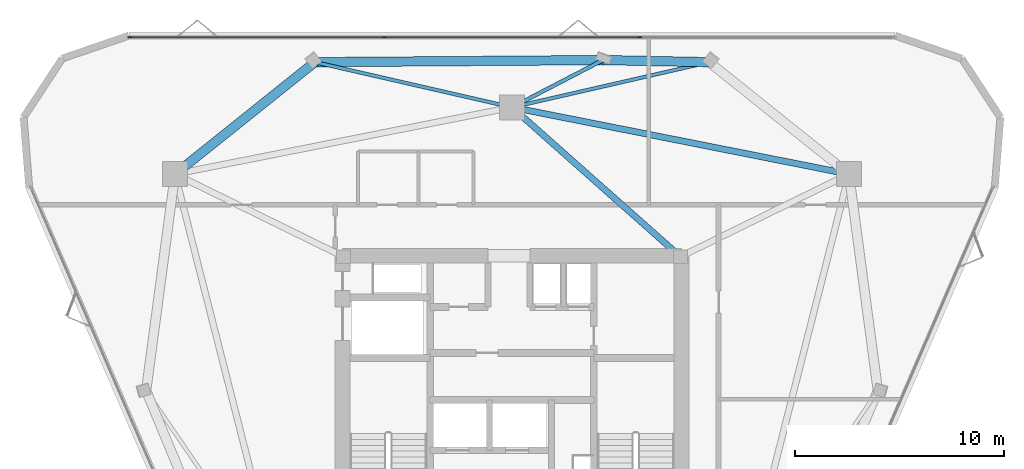
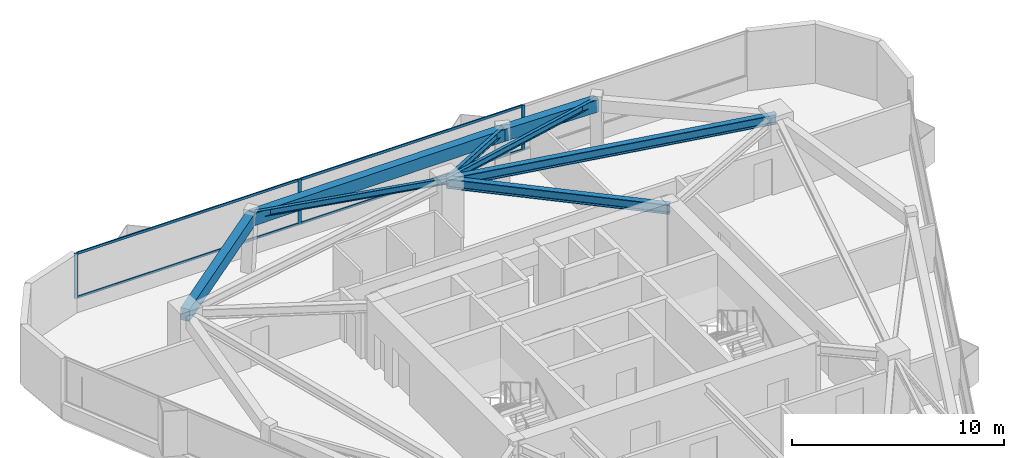
# One storey, part 6 of 11: 8 beams, 7 members, 1 element without a shape of its own.
"""IFC4 building model written with IfcOpenShell, lengths in metres."""

from ifc_helpers import new_model, si_unit, direction, frame, origin, origin_2d, place, context, subcontext, project, spatial, rectangle, i_section, extrude, material, layer, layer_set, material_profile, profile_set, type_object, element, aggregate, save


model = new_model("IFC4")

# Units and contexts
model_context = context("Model", 3, precision=1e-05, world=origin(), true_north=direction((0.0, 1.0)))
body_context = subcontext(model_context, "Body", "Model", "MODEL_VIEW")
ifc_project = project(units=[si_unit("LENGTHUNIT", "METRE"), si_unit("AREAUNIT", "SQUARE_METRE"), si_unit("VOLUMEUNIT", "CUBIC_METRE"), si_unit("PLANEANGLEUNIT", "RADIAN"), si_unit("MASSUNIT", "GRAM", prefix="KILO")], contexts=[model_context])

# Site, building, storey
site_placement = place(None, origin())
site = spatial("IfcSite", under=ifc_project, at=site_placement, CompositionType="ELEMENT")
building_placement = place(site_placement, origin())
building = spatial("IfcBuilding", under=site, at=building_placement, Name="Talyreon Biosciences Tower", CompositionType="ELEMENT")
storey_placement = place(building_placement, frame((0.0, 0.0, 249.85009765625)))
storey = spatial("IfcBuildingStorey", under=building, at=storey_placement, Name="L66", CompositionType="ELEMENT", Elevation=249.85009765625)

# Curtain wall, members
ifc_material_1 = material(Name="Thermally broken aluminium and low-E glazing", Category="aluminium")
ifc_layer = layer(ifc_material_1, 0.175048828125)
ifc_layer_set = layer_set([ifc_layer], Name="Thermally broken aluminium and low-E glazing")
curtain_wall_type = type_object("IfcCurtainWallType", Name="CurtainWall_Zone5CompLab", PredefinedType="NOTDEFINED", material=ifc_layer_set)
curtain_wall_placement = place(storey_placement, origin())
curtain_wall = element("IfcCurtainWall", 1, at=curtain_wall_placement, inside=storey, type_object=curtain_wall_type, Name="L66 Unitised Curtain Wall FCW-L66-04", PredefinedType="NOTDEFINED")
ifc_material_2 = material(Name="Anodised thermally broken aluminium", Category="aluminium")
ifc_material_profile_1 = material_profile(ifc_material_2, rectangle(XDim=0.06494140625, YDim=0.179931640625, at=origin_2d()), Name="ALUM MULLION 65x180")
ifc_profile_set_1 = profile_set([ifc_material_profile_1], Name="Anodised thermally broken aluminium")
member_type_1 = type_object("IfcMemberType", Name="CWMullion_65x180", PredefinedType="MULLION", material=ifc_profile_set_1)
member_1_placement = place(storey_placement, frame((47.728759765625, 85.1376953125, 0.809814453125), z_axis=(0.0, 0.0, 1.0), x_axis=(0.0, 1.0, 0.0)))
member_1 = element("IfcMember", 2, at=member_1_placement, type_object=member_type_1, Name="CW6 mullion 1", PredefinedType="MULLION", context=body_context, shape_type="SweptSolid", body=[
    extrude(rectangle(XDim=0.06494140625, YDim=0.179931640625, at=origin_2d()), origin(), (0.0, 0.0, 1.0), 2.590087890625),
])
member_2_placement = place(storey_placement, frame((59.898681640625, 85.1376953125, 0.809814453125), z_axis=(0.0, 0.0, 1.0), x_axis=(0.0, 1.0, 0.0)))
member_2 = element("IfcMember", 3, at=member_2_placement, type_object=member_type_1, Name="CW6 mullion 2", PredefinedType="MULLION", context=body_context, shape_type="SweptSolid", body=[
    extrude(rectangle(XDim=0.06494140625, YDim=0.179931640625, at=origin_2d()), origin(), (0.0, 0.0, 1.0), 2.590087890625),
])
member_3_placement = place(storey_placement, frame((72.101318359375, 85.1376953125, 0.809814453125), z_axis=(0.0, 0.0, 1.0), x_axis=(0.0, 1.0, 0.0)))
member_3 = element("IfcMember", 4, at=member_3_placement, type_object=member_type_1, Name="CW6 mullion 3", PredefinedType="MULLION", context=body_context, shape_type="SweptSolid", body=[
    extrude(rectangle(XDim=0.06494140625, YDim=0.179931640625, at=origin_2d()), origin(), (0.0, 0.0, 1.0), 2.590087890625),
])
ifc_material_profile_2 = material_profile(ifc_material_2, rectangle(XDim=0.06494140625, YDim=0.139892578125, at=origin_2d()), Name="ALUM TRANSOM 65x140")
ifc_profile_set_2 = profile_set([ifc_material_profile_2], Name="Anodised thermally broken aluminium")
member_type_2 = type_object("IfcMemberType", Name="CWTransom_65x140", PredefinedType="USERDEFINED", material=ifc_profile_set_2)
member_4_placement = place(storey_placement, frame((47.76123046875, 85.1376953125, 0.84228515625), z_axis=(1.0, 0.0, 0.0), x_axis=(0.0, 1.0, 0.0)))
member_4 = element("IfcMember", 5, at=member_4_placement, type_object=member_type_2, Name="CW6 transom 1.1", ObjectType="TRANSOM", PredefinedType="USERDEFINED", context=body_context, shape_type="SweptSolid", body=[
    extrude(rectangle(XDim=0.06494140625, YDim=0.139892578125, at=origin_2d()), origin(), (0.0, 0.0, 1.0), 12.10498046875),
])
member_5_placement = place(storey_placement, frame((47.76123046875, 85.1376953125, 3.367431640625), z_axis=(1.0, 0.0, 0.0), x_axis=(0.0, 1.0, 0.0)))
member_5 = element("IfcMember", 6, at=member_5_placement, type_object=member_type_2, Name="CW6 transom 1.2", ObjectType="TRANSOM", PredefinedType="USERDEFINED", context=body_context, shape_type="SweptSolid", body=[
    extrude(rectangle(XDim=0.06494140625, YDim=0.139892578125, at=origin_2d()), origin(), (0.0, 0.0, 1.0), 12.10498046875),
])
member_6_placement = place(storey_placement, frame((59.93115234375, 85.1376953125, 0.84228515625), z_axis=(1.0, 0.0, 0.0), x_axis=(0.0, 1.0, 0.0)))
member_6 = element("IfcMember", 7, at=member_6_placement, type_object=member_type_2, Name="CW6 transom 2.1", ObjectType="TRANSOM", PredefinedType="USERDEFINED", context=body_context, shape_type="SweptSolid", body=[
    extrude(rectangle(XDim=0.06494140625, YDim=0.139892578125, at=origin_2d()), origin(), (0.0, 0.0, 1.0), 12.1376953125),
])
member_7_placement = place(storey_placement, frame((59.93115234375, 85.1376953125, 3.367431640625), z_axis=(1.0, 0.0, 0.0), x_axis=(0.0, 1.0, 0.0)))
member_7 = element("IfcMember", 8, at=member_7_placement, type_object=member_type_2, Name="CW6 transom 2.2", ObjectType="TRANSOM", PredefinedType="USERDEFINED", context=body_context, shape_type="SweptSolid", body=[
    extrude(rectangle(XDim=0.06494140625, YDim=0.139892578125, at=origin_2d()), origin(), (0.0, 0.0, 1.0), 12.1376953125),
])
aggregate(curtain_wall, [member_1, member_2, member_3, member_4, member_5, member_6, member_7])

# Beams
ifc_material_3 = material(Name="Precast concrete C45/55", Category="concrete")
ifc_material_profile_3 = material_profile(ifc_material_3, rectangle(XDim=0.449951171875, YDim=0.699951171875, at=origin_2d()), Name="RCB 450x700")
ifc_profile_set_3 = profile_set([ifc_material_profile_3], Name="Precast concrete C45/55")
beam_type_1 = type_object("IfcBeamType", Name="ExpressedSpandrel_450x700", PredefinedType="SPANDREL", material=ifc_profile_set_3)
beam_1_placement = place(storey_placement, frame((75.419921875, 83.945556640625, 3.0498046875), z_axis=(-0.999805335384, 0.019730467246, 0.0), x_axis=(-0.019730467246, -0.999805335384, 0.0)))
element("IfcBeam", 9, at=beam_1_placement, inside=storey, type_object=beam_type_1, Name="L66 Expressed Horizontal Concrete Spandrel 06", PredefinedType="SPANDREL", context=body_context, shape_type="SweptSolid", body=[
    extrude(rectangle(XDim=0.449951171875, YDim=0.699951171875, at=origin_2d()), origin(), (0.0, 0.0, 1.0), 5.0732421875),
])
beam_2_placement = place(storey_placement, frame((70.34765625, 84.045654296875, 3.0498046875), z_axis=(-0.999973570709, -0.007270342673, 0.0), x_axis=(0.007270342673, -0.999973570709, 0.0)))
element("IfcBeam", 10, at=beam_2_placement, inside=storey, type_object=beam_type_1, Name="L66 Expressed Horizontal Concrete Spandrel 07", PredefinedType="SPANDREL", context=body_context, shape_type="SweptSolid", body=[
    extrude(rectangle(XDim=0.449951171875, YDim=0.699951171875, at=origin_2d()), origin(), (0.0, 0.0, 1.0), 13.767822265625),
])
beam_3_placement = place(storey_placement, frame((56.580078125, 83.945556640625, 3.0498046875), z_axis=(-0.780810360626, -0.62476810157, 0.0), x_axis=(0.62476810157, -0.780810360626, 0.0)))
element("IfcBeam", 11, at=beam_3_placement, inside=storey, type_object=beam_type_1, Name="L66 Expressed Horizontal Concrete Spandrel 08", PredefinedType="SPANDREL", context=body_context, shape_type="SweptSolid", body=[
    extrude(rectangle(XDim=0.449951171875, YDim=0.699951171875, at=origin_2d()), origin(), (0.0, 0.0, 1.0), 8.558349609375),
])
ifc_material_4 = material(Name="Steel SM355", Category="steel")
ifc_material_profile_4 = material_profile(ifc_material_4, i_section(OverallWidth=0.300048828125, OverallDepth=0.550048828125, WebThickness=0.014892578125, FlangeThickness=0.029052734375, FilletRadius=0.027099609375, at=origin_2d()), Name="HE550B")
ifc_profile_set_4 = profile_set([ifc_material_profile_4], Name="Steel SM355")
beam_type_2 = type_object("IfcBeamType", Name="SteelBeam_HE550B", PredefinedType="BEAM", material=ifc_profile_set_4)
beam_4_placement = place(storey_placement, frame((82.102294921875, 78.5986328125, 3.125), z_axis=(-0.980933730698, 0.194342522311, 0.0), x_axis=(-0.194342522311, -0.980933730698, 0.0)))
element("IfcBeam", 12, at=beam_4_placement, inside=storey, type_object=beam_type_2, Name="L66 Mega-Ring Girder 3", PredefinedType="BEAM", context=body_context, shape_type="SweptSolid", body=[
    extrude(i_section(OverallWidth=0.300048828125, OverallDepth=0.550048828125, WebThickness=0.014892578125, FlangeThickness=0.029052734375, FilletRadius=0.027099609375, at=origin_2d()), origin(), (0.0, 0.0, 1.0), 16.415283203125),
])
beam_5_placement = place(storey_placement, frame((74.050048828125, 74.64990234375, 3.125), z_axis=(-0.748178733955, 0.663497235908, 0.0), x_axis=(-0.663497235908, -0.748178733955, 0.0)))
element("IfcBeam", 13, at=beam_5_placement, inside=storey, type_object=beam_type_2, Name="L66 Radial Primary Girder 4", PredefinedType="BEAM", context=body_context, shape_type="SweptSolid", body=[
    extrude(i_section(OverallWidth=0.300048828125, OverallDepth=0.550048828125, WebThickness=0.014892578125, FlangeThickness=0.029052734375, FilletRadius=0.027099609375, at=origin_2d()), origin(), (0.0, 0.0, 1.0), 10.759521484375),
])
ifc_material_profile_5 = material_profile(ifc_material_4, i_section(OverallWidth=0.169921875, OverallDepth=0.360107421875, WebThickness=0.008056640625, FlangeThickness=0.0126953125, FilletRadius=0.01806640625, at=origin_2d()), Name="IPE360")
ifc_profile_set_5 = profile_set([ifc_material_profile_5], Name="Steel SM355")
beam_type_3 = type_object("IfcBeamType", Name="SteelJoist_IPE360", PredefinedType="JOIST", material=ifc_profile_set_5)
for number, where, z_axis, x_axis, name in (
    (14, (66.0, 81.788818359375, 3.219970703125), (0.974777221443, 0.223180125809, 0.0), (-0.223180125809, 0.974777221443, 0.0), "L66 Radial Composite Floor Joist PC-N1"),
    (15, (66.0, 81.788818359375, 3.219970703125), (-0.974777221443, 0.223180125809, 0.0), (-0.223180125809, -0.974777221443, 0.0), "L66 Radial Composite Floor Joist PC-N2"),
):
    element("IfcBeam", number, at=place(storey_placement, frame(where, z_axis=z_axis, x_axis=x_axis)), inside=storey, type_object=beam_type_3, Name=name, PredefinedType="JOIST", context=body_context, shape_type="SweptSolid", body=[
        extrude(i_section(OverallWidth=0.169921875, OverallDepth=0.360107421875, WebThickness=0.008056640625, FlangeThickness=0.0126953125, FilletRadius=0.01806640625, at=origin_2d()), origin(), (0.0, 0.0, 1.0), 9.66357421875),
    ])
ifc_material_profile_6 = material_profile(ifc_material_4, i_section(OverallWidth=0.179931640625, OverallDepth=0.39990234375, WebThickness=0.008544921875, FlangeThickness=0.013427734375, FilletRadius=0.02099609375, at=origin_2d()), Name="IPE400")
ifc_profile_set_6 = profile_set([ifc_material_profile_6], Name="Steel SM355")
beam_type_4 = type_object("IfcBeamType", Name="SteelJoist_IPE400", PredefinedType="JOIST", material=ifc_profile_set_6)
beam_6_placement = place(storey_placement, frame((66.0, 81.788818359375, 3.199951171875), z_axis=(0.8875462452, 0.460718637165, 0.0), x_axis=(-0.460718637165, 0.8875462452, 0.0)))
element("IfcBeam", 16, at=beam_6_placement, inside=storey, type_object=beam_type_4, Name="L66 Radial Composite Floor Joist PL-N", PredefinedType="JOIST", context=body_context, shape_type="SweptSolid", body=[
    extrude(i_section(OverallWidth=0.179931640625, OverallDepth=0.39990234375, WebThickness=0.008544921875, FlangeThickness=0.013427734375, FilletRadius=0.02099609375, at=origin_2d()), origin(), (0.0, 0.0, 1.0), 4.8984375),
])

save(model, "model.ifc")
